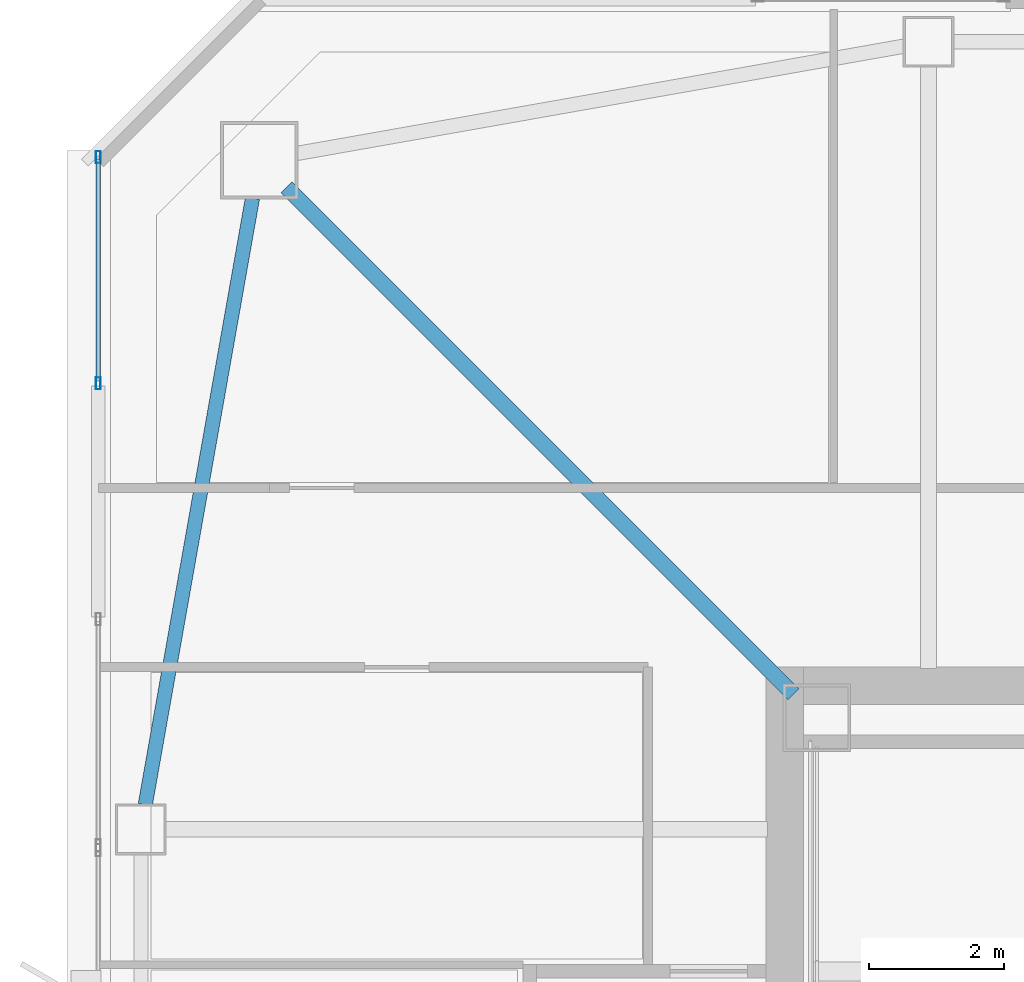
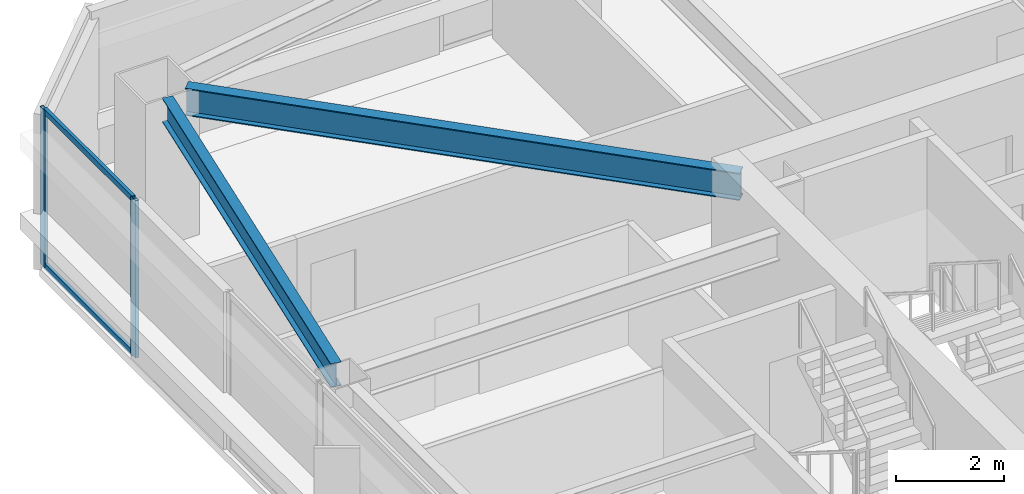
# One storey, part 13 of 46: 4 members, 2 beams, 1 element without a shape of its own.
"""IFC4 building model written with IfcOpenShell, lengths in metres."""

from ifc_helpers import new_model, si_unit, direction, frame, origin, origin_2d, place, context, subcontext, project, spatial, hollow_rectangle, i_section, extrude, material, material_profile, profile_set, type_object, element, aggregate, save


model = new_model("IFC4")

# Units and contexts
model_context = context("Model", 3, precision=1e-05, world=origin(), true_north=direction((0.0, 1.0)))
body_context = subcontext(model_context, "Body", "Model", "MODEL_VIEW")
ifc_project = project(units=[si_unit("LENGTHUNIT", "METRE"), si_unit("AREAUNIT", "SQUARE_METRE"), si_unit("VOLUMEUNIT", "CUBIC_METRE"), si_unit("PLANEANGLEUNIT", "RADIAN"), si_unit("MASSUNIT", "GRAM", prefix="KILO")], contexts=[model_context])

# Site, building, storey
site_placement = place(None, origin())
site = spatial("IfcSite", under=ifc_project, at=site_placement, CompositionType="ELEMENT")
building_placement = place(site_placement, origin())
building = spatial("IfcBuilding", under=site, at=building_placement, Name="Tashvorn Skyway Center", CompositionType="ELEMENT")
storey_placement = place(building_placement, frame((0.0, 0.0, 167.64990234375)))
storey = spatial("IfcBuildingStorey", under=building, at=storey_placement, Name="L45", CompositionType="ELEMENT", Elevation=167.64990234375)

# Beams
ifc_material_1 = material(Name="Steel ASTM A992 Grade 50", Category="steel")
ifc_material_profile_1 = material_profile(ifc_material_1, i_section(OverallWidth=0.22998046875, OverallDepth=0.616943359375, WebThickness=0.01318359375, FlangeThickness=0.022216796875, at=origin_2d()), Name="W24X94")
ifc_profile_set_1 = profile_set([ifc_material_profile_1], Name="Steel ASTM A992 Grade 50")
beam_type_1 = type_object("IfcBeamType", Name="BM-BEAM-W24X94", PredefinedType="BEAM", material=ifc_profile_set_1)
beam_1_placement = place(storey_placement, frame((27.10302734375, 46.89697265625, 3.0615234375), z_axis=(0.707106781187, -0.707106781187, 0.0), x_axis=(0.707106781187, 0.707106781187, 0.0)))
element("IfcBeam", 1, at=beam_1_placement, inside=storey, type_object=beam_type_1, Name="Tower 1 L45 Primary Floor Girder MC-NW", PredefinedType="BEAM", context=body_context, shape_type="SweptSolid", body=[
    extrude(i_section(OverallWidth=0.22998046875, OverallDepth=0.616943359375, WebThickness=0.01318359375, FlangeThickness=0.022216796875, at=origin_2d()), origin(), (0.0, 0.0, 1.0), 10.6025390625),
])
ifc_material_profile_2 = material_profile(ifc_material_1, i_section(OverallWidth=0.2109375, OverallDepth=0.5390625, WebThickness=0.01171875, FlangeThickness=0.018798828125, at=origin_2d()), Name="W21X73")
ifc_profile_set_2 = profile_set([ifc_material_profile_2], Name="Steel ASTM A992 Grade 50")
beam_type_2 = type_object("IfcBeamType", Name="BM-SPANDREL-W21X73", PredefinedType="SPANDREL", material=ifc_profile_set_2)
beam_2_placement = place(storey_placement, frame((26.600830078125, 46.73876953125, 3.1005859375), z_axis=(-0.174074160933, -0.984732545667, 0.0), x_axis=(0.984732545667, -0.174074160933, 0.0)))
element("IfcBeam", 2, at=beam_2_placement, inside=storey, type_object=beam_type_2, Name="Tower 1 L45 Spandrel Beam 10", PredefinedType="SPANDREL", context=body_context, shape_type="SweptSolid", body=[
    extrude(i_section(OverallWidth=0.2109375, OverallDepth=0.5390625, WebThickness=0.01171875, FlangeThickness=0.018798828125, at=origin_2d()), origin(), (0.0, 0.0, 1.0), 9.113525390625),
])

# Curtain wall, members
ifc_material_2 = material(Name="Thermally broken bronze-anodized aluminium 6063-T6", Category="aluminium")
curtain_wall_type = type_object("IfcCurtainWallType", Name="CW-CW-Z4", PredefinedType="NOTDEFINED", material=ifc_material_2)
curtain_wall_placement = place(storey_placement, origin())
curtain_wall = element("IfcCurtainWall", 3, at=curtain_wall_placement, inside=storey, type_object=curtain_wall_type, Name="Tower 1 L45 West Unitised Curtain Wall Glazing Group 5", PredefinedType="NOTDEFINED")
ifc_material_profile_3 = material_profile(ifc_material_2, hollow_rectangle(XDim=0.070068359375, YDim=0.179931640625, WallThickness=0.00390625, at=origin_2d()), Name="ALU-MULL-70x180")
ifc_profile_set_3 = profile_set([ifc_material_profile_3], Name="Thermally broken bronze-anodized aluminium 6063-T6")
member_type_1 = type_object("IfcMemberType", Name="CWM-CW-Z4", PredefinedType="MULLION", material=ifc_profile_set_3)
member_1_placement = place(storey_placement, frame((24.320068359375, 43.997314453125, 0.0), z_axis=(0.0, 0.0, 1.0), x_axis=(-1.0, 0.0, 0.0)))
member_1 = element("IfcMember", 4, at=member_1_placement, type_object=member_type_1, Name="CW-Z4 mullion 1", PredefinedType="MULLION", context=body_context, shape_type="SweptSolid", body=[
    extrude(hollow_rectangle(XDim=0.070068359375, YDim=0.179931640625, WallThickness=0.00390625, at=origin_2d()), origin(), (0.0, 0.0, 1.0), 3.550048828125),
])
member_2_placement = place(storey_placement, frame((24.320068359375, 47.344970703125, 0.0), z_axis=(0.0, 0.0, 1.0), x_axis=(-1.0, 0.0, 0.0)))
member_2 = element("IfcMember", 5, at=member_2_placement, type_object=member_type_1, Name="CW-Z4 mullion 2", PredefinedType="MULLION", context=body_context, shape_type="SweptSolid", body=[
    extrude(hollow_rectangle(XDim=0.070068359375, YDim=0.179931640625, WallThickness=0.00390625, at=origin_2d()), origin(), (0.0, 0.0, 1.0), 3.550048828125),
])
ifc_material_profile_4 = material_profile(ifc_material_2, hollow_rectangle(XDim=0.070068359375, YDim=0.1298828125, WallThickness=0.00390625, at=origin_2d()), Name="ALU-TRAN-70x130")
ifc_profile_set_4 = profile_set([ifc_material_profile_4], Name="Thermally broken bronze-anodized aluminium 6063-T6")
member_type_2 = type_object("IfcMemberType", Name="CWT-CW-Z4", PredefinedType="USERDEFINED", material=ifc_profile_set_4)
member_3_placement = place(storey_placement, frame((24.320068359375, 44.0322265625, 0.03515625), z_axis=(0.0, 1.0, 0.0), x_axis=(-1.0, 0.0, 0.0)))
member_3 = element("IfcMember", 6, at=member_3_placement, type_object=member_type_2, Name="CW-Z4 transom 1.1", ObjectType="TRANSOM", PredefinedType="USERDEFINED", context=body_context, shape_type="SweptSolid", body=[
    extrude(hollow_rectangle(XDim=0.070068359375, YDim=0.1298828125, WallThickness=0.00390625, at=origin_2d()), origin(), (0.0, 0.0, 1.0), 3.27783203125),
])
member_4_placement = place(storey_placement, frame((24.320068359375, 44.0322265625, 3.51513671875), z_axis=(0.0, 1.0, 0.0), x_axis=(-1.0, 0.0, 0.0)))
member_4 = element("IfcMember", 7, at=member_4_placement, type_object=member_type_2, Name="CW-Z4 transom 1.2", ObjectType="TRANSOM", PredefinedType="USERDEFINED", context=body_context, shape_type="SweptSolid", body=[
    extrude(hollow_rectangle(XDim=0.070068359375, YDim=0.1298828125, WallThickness=0.00390625, at=origin_2d()), origin(), (0.0, 0.0, 1.0), 3.27783203125),
])
aggregate(curtain_wall, [member_1, member_2, member_3, member_4])

save(model, "model.ifc")
